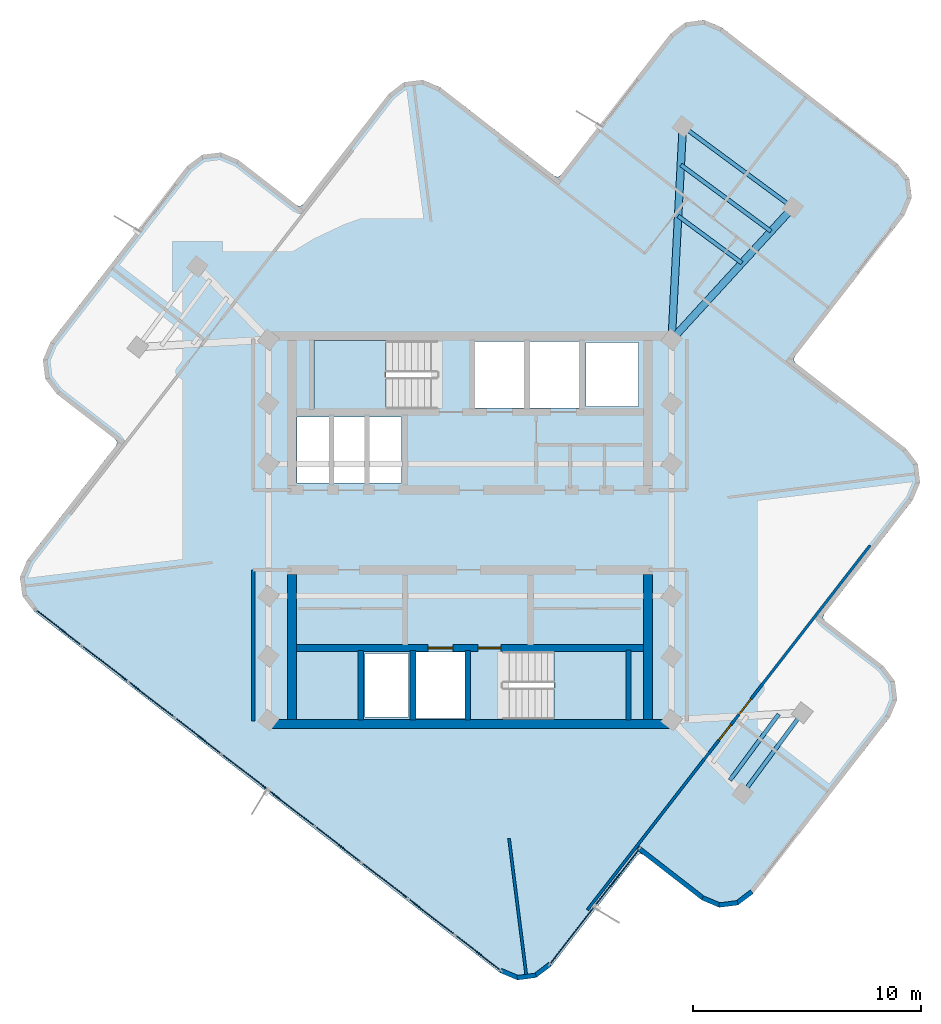
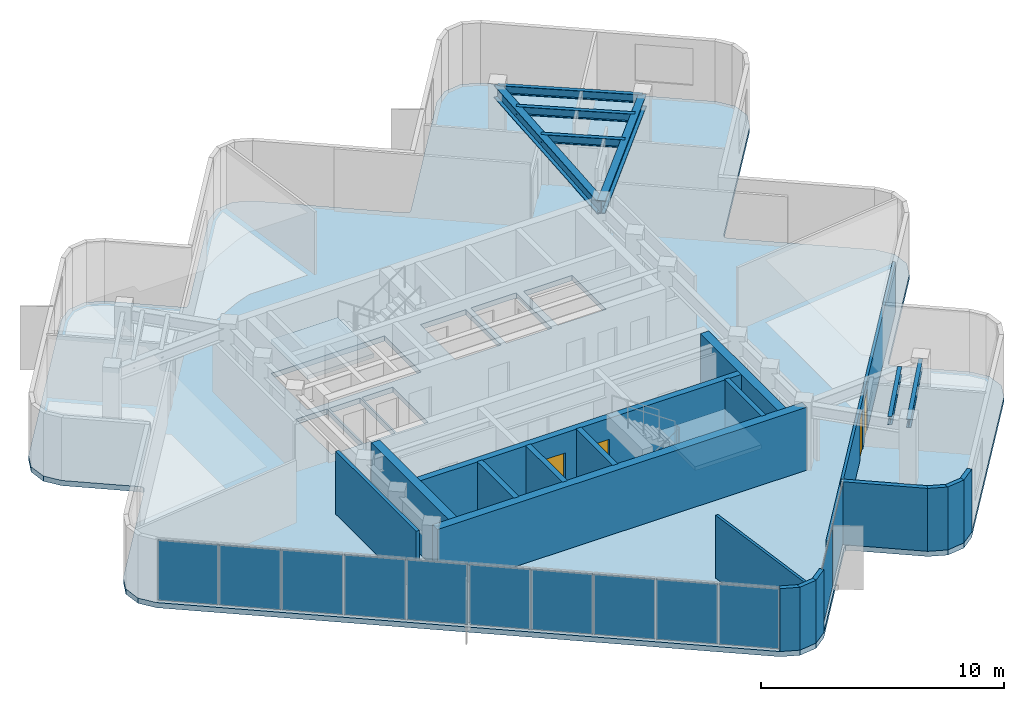
# One storey, part 5 of 10: 18 walls, 12 plates, 7 beams, 4 doors, 3 slabs, 4 openings, 4 elements without a shape of their own.
"""IFC4 building model written with IfcOpenShell, lengths in metres."""

from ifc_helpers import new_model, si_unit, direction, frame, frame_2d, origin, origin_2d, place, context, subcontext, project, spatial, polyline, rectangle, i_section, outline, extrude, material, layer, layer_set, material_profile, profile_set, type_object, element, fill, aggregate, save


model = new_model("IFC4")

# Units and contexts
model_context = context("Model", 3, precision=1e-05, world=origin(), true_north=direction((0.0, 1.0)))
body_context = subcontext(model_context, "Body", "Model", "MODEL_VIEW")
ifc_project = project(units=[si_unit("LENGTHUNIT", "METRE"), si_unit("AREAUNIT", "SQUARE_METRE"), si_unit("VOLUMEUNIT", "CUBIC_METRE"), si_unit("PLANEANGLEUNIT", "RADIAN"), si_unit("MASSUNIT", "GRAM", prefix="KILO")], contexts=[model_context])

# Site, building, storey
site_placement = place(None, origin())
site = spatial("IfcSite", under=ifc_project, at=site_placement, CompositionType="ELEMENT")
building_placement = place(site_placement, origin())
building = spatial("IfcBuilding", under=site, at=building_placement, Name="Solmarez Civic Tower", CompositionType="ELEMENT")
storey_placement = place(building_placement, frame((0.0, 0.0, 257.760009765625)))
storey = spatial("IfcBuildingStorey", under=building, at=storey_placement, Name="L69", CompositionType="ELEMENT", Elevation=257.760009765625)

# Beams
ifc_material_1 = material(Name="Steel S355", Category="steel")
ifc_material_profile_1 = material_profile(ifc_material_1, i_section(OverallWidth=0.178955078125, OverallDepth=0.409912109375, WebThickness=0.0087890625, FlangeThickness=0.014404296875, at=origin_2d()), Name="W16X45")
ifc_profile_set_1 = profile_set([ifc_material_profile_1], Name="Steel S355")
beam_type_1 = type_object("IfcBeamType", Name="BM-JS-W16X45", PredefinedType="JOIST", material=ifc_profile_set_1)
beam_1_placement = place(storey_placement, frame((14.1689453125, 14.152099609375, 2.955078125), z_axis=(-0.804687480311, 0.593698626434, 0.0), x_axis=(-0.593698626434, -0.804687480311, 0.0)))
element("IfcBeam", 1, at=beam_1_placement, inside=storey, type_object=beam_type_1, Name="L69 Secondary Floor Joist BM-L69-EA-T1", PredefinedType="JOIST", context=body_context, shape_type="SweptSolid", body=[
    extrude(i_section(OverallWidth=0.178955078125, OverallDepth=0.409912109375, WebThickness=0.0087890625, FlangeThickness=0.014404296875, at=origin_2d()), origin(), (0.0, 0.0, 1.0), 5.999755859375),
])
beam_2_placement = place(storey_placement, frame((11.93505859375, 11.715087890625, 2.955078125), z_axis=(-0.8046818189, 0.593706299724, 0.0), x_axis=(-0.593706299724, -0.8046818189, 0.0)))
element("IfcBeam", 2, at=beam_2_placement, inside=storey, type_object=beam_type_1, Name="L69 Secondary Floor Joist JS-L69-EA-M11", PredefinedType="JOIST", context=body_context, shape_type="SweptSolid", body=[
    extrude(i_section(OverallWidth=0.178955078125, OverallDepth=0.409912109375, WebThickness=0.0087890625, FlangeThickness=0.014404296875, at=origin_2d()), origin(), (0.0, 0.0, 1.0), 3.479736328125),
])
beam_3_placement = place(storey_placement, frame((13.2119140625, 13.10791015625, 2.955078125), z_axis=(-0.804762606031, 0.593596789019, 0.0), x_axis=(-0.593596789019, -0.804762606031, 0.0)))
element("IfcBeam", 3, at=beam_3_placement, inside=storey, type_object=beam_type_1, Name="L69 Secondary Floor Joist JS-L69-EA-M12", PredefinedType="JOIST", context=body_context, shape_type="SweptSolid", body=[
    extrude(i_section(OverallWidth=0.178955078125, OverallDepth=0.409912109375, WebThickness=0.0087890625, FlangeThickness=0.014404296875, at=origin_2d()), origin(), (0.0, 0.0, 1.0), 4.91943359375),
])
beam_4_placement = place(storey_placement, frame((11.970947265625, -11.56591796875, 2.955078125), z_axis=(0.593730834471, 0.804663716219, 0.0), x_axis=(-0.804663716219, 0.593730834471, 0.0)))
element("IfcBeam", 4, at=beam_4_placement, inside=storey, type_object=beam_type_1, Name="L69 Secondary Floor Joist BM-L69-SA-T1", PredefinedType="JOIST", context=body_context, shape_type="SweptSolid", body=[
    extrude(i_section(OverallWidth=0.178955078125, OverallDepth=0.409912109375, WebThickness=0.0087890625, FlangeThickness=0.014404296875, at=origin_2d()), origin(), (0.0, 0.0, 1.0), 4.3994140625),
])
beam_5_placement = place(storey_placement, frame((11.408935546875, -10.987060546875, 2.955078125), z_axis=(0.593734433343, 0.804661060735, 0.0), x_axis=(-0.804661060735, 0.593734433343, 0.0)))
element("IfcBeam", 5, at=beam_5_placement, inside=storey, type_object=beam_type_1, Name="L69 Secondary Floor Joist JS-L69-SA-M12", PredefinedType="JOIST", context=body_context, shape_type="SweptSolid", body=[
    extrude(i_section(OverallWidth=0.178955078125, OverallDepth=0.409912109375, WebThickness=0.0087890625, FlangeThickness=0.014404296875, at=origin_2d()), origin(), (0.0, 0.0, 1.0), 3.60791015625),
])
ifc_material_profile_2 = material_profile(ifc_material_1, i_section(OverallWidth=0.327880859375, OverallDepth=0.6220703125, WebThickness=0.015380859375, FlangeThickness=0.0244140625, at=origin_2d()), Name="W24X131")
ifc_profile_set_2 = profile_set([ifc_material_profile_2], Name="Steel S355")
beam_type_2 = type_object("IfcBeamType", Name="BM-PR-W24X131", PredefinedType="BEAM", material=ifc_profile_set_2)
beam_6_placement = place(storey_placement, frame((8.85009765625, 8.35009765625, 2.848876953125), z_axis=(0.67574850583, 0.737132251953, 0.0), x_axis=(-0.737132251953, 0.67574850583, 0.0)))
element("IfcBeam", 6, at=beam_6_placement, inside=storey, type_object=beam_type_2, Name="L69 Primary Floor Beam BM-L69-EA-R1A", PredefinedType="BEAM", context=body_context, shape_type="SweptSolid", body=[
    extrude(i_section(OverallWidth=0.327880859375, OverallDepth=0.6220703125, WebThickness=0.015380859375, FlangeThickness=0.0244140625, at=origin_2d()), origin(), (0.0, 0.0, 1.0), 7.87109375),
])
beam_7_placement = place(storey_placement, frame((8.85009765625, 8.35009765625, 2.848876953125), z_axis=(0.052359315135, 0.998628310293, 0.0), x_axis=(-0.998628310293, 0.052359315135, 0.0)))
element("IfcBeam", 7, at=beam_7_placement, inside=storey, type_object=beam_type_2, Name="L69 Primary Floor Beam BM-L69-EA-R1B", PredefinedType="BEAM", context=body_context, shape_type="SweptSolid", body=[
    extrude(i_section(OverallWidth=0.327880859375, OverallDepth=0.6220703125, WebThickness=0.015380859375, FlangeThickness=0.0244140625, at=origin_2d()), origin(), (0.0, 0.0, 1.0), 9.376953125),
])

# Curtain wall, plates
ifc_material_2 = material(Name="Bronze Anodised Aluminium EN AW-6063 T6", Category="aluminium")
ifc_layer_1 = layer(ifc_material_2, 0.1650390625)
ifc_layer_set_1 = layer_set([ifc_layer_1], Name="Bronze Anodised Aluminium EN AW-6063 T6")
curtain_wall_type = type_object("IfcCurtainWallType", Name="CW-SYS-4", PredefinedType="NOTDEFINED", material=ifc_layer_set_1)
curtain_wall_1_placement = place(storey_placement, origin())
curtain_wall_1 = element("IfcCurtainWall", 8, at=curtain_wall_1_placement, inside=storey, type_object=curtain_wall_type, Name="L69 Stick-Built Curtain Wall 1", PredefinedType="NOTDEFINED")
ifc_material_3 = material(Name="Solar Control Low-E Laminated Vision Glass", Category="glass")
ifc_layer_2 = layer(ifc_material_3, 0.0400390625)
ifc_layer_set_2 = layer_set([ifc_layer_2], Name="Solar Control Low-E Laminated Vision Glass")
plate_type = type_object("IfcPlateType", Name="CWP-GLAZ-40", PredefinedType="CURTAIN_PANEL", material=ifc_layer_set_2)
plate_1_placement = place(storey_placement, frame((6.471435546875, -15.234130859375, 0.070068359375), z_axis=(0.0, 0.0, 1.0), x_axis=(-0.612860533718, -0.790191094743, 0.0)))
plate_1 = element("IfcPlate", 9, at=plate_1_placement, type_object=plate_type, Name="CWS4 panel 1.1", PredefinedType="CURTAIN_PANEL", context=body_context, shape_type="SweptSolid", body=[
    extrude(rectangle(XDim=3.1806640625, YDim=0.0400390625, at=origin_2d()), origin(), (0.0, 0.0, 1.0), 3.02001953125),
])
plate_2_placement = place(storey_placement, frame((4.4853515625, -17.794921875, 0.070068359375), z_axis=(0.0, 0.0, 1.0), x_axis=(-0.612860533718, -0.790191094743, 0.0)))
plate_2 = element("IfcPlate", 10, at=plate_2_placement, type_object=plate_type, Name="CWS4 panel 2.1", PredefinedType="CURTAIN_PANEL", context=body_context, shape_type="SweptSolid", body=[
    extrude(rectangle(XDim=3.1806640625, YDim=0.0400390625, at=origin_2d()), origin(), (0.0, 0.0, 1.0), 3.02001953125),
])
aggregate(curtain_wall_1, [plate_1, plate_2])

curtain_wall_2_placement = place(storey_placement, origin())
curtain_wall_2 = element("IfcCurtainWall", 11, at=curtain_wall_2_placement, inside=storey, type_object=curtain_wall_type, Name="L69 Stick-Built Curtain Wall 2", PredefinedType="NOTDEFINED")
plate_3_placement = place(storey_placement, frame((0.349853515625, -18.558349609375, 0.070068359375), z_axis=(0.0, 0.0, 1.0), x_axis=(-0.790188539668, 0.612863828087, 0.0)))
plate_3 = element("IfcPlate", 12, at=plate_3_placement, type_object=plate_type, Name="CWS4 panel 1.1", PredefinedType="CURTAIN_PANEL", context=body_context, shape_type="SweptSolid", body=[
    extrude(rectangle(XDim=2.50244140625, YDim=0.0400390625, at=origin_2d()), origin(), (0.0, 0.0, 1.0), 3.02001953125),
])
plate_4_placement = place(storey_placement, frame((-1.686767578125, -16.978759765625, 0.070068359375), z_axis=(0.0, 0.0, 1.0), x_axis=(-0.790188539668, 0.612863828087, 0.0)))
plate_4 = element("IfcPlate", 13, at=plate_4_placement, type_object=plate_type, Name="CWS4 panel 2.1", PredefinedType="CURTAIN_PANEL", context=body_context, shape_type="SweptSolid", body=[
    extrude(rectangle(XDim=2.532470703125, YDim=0.0400390625, at=origin_2d()), origin(), (0.0, 0.0, 1.0), 3.02001953125),
])
plate_5_placement = place(storey_placement, frame((-3.7353515625, -15.389892578125, 0.070068359375), z_axis=(0.0, 0.0, 1.0), x_axis=(-0.790188539668, 0.612863828087, 0.0)))
plate_5 = element("IfcPlate", 14, at=plate_5_placement, type_object=plate_type, Name="CWS4 panel 3.1", PredefinedType="CURTAIN_PANEL", context=body_context, shape_type="SweptSolid", body=[
    extrude(rectangle(XDim=2.532470703125, YDim=0.0400390625, at=origin_2d()), origin(), (0.0, 0.0, 1.0), 3.02001953125),
])
plate_6_placement = place(storey_placement, frame((-5.78369140625, -13.80126953125, 0.070068359375), z_axis=(0.0, 0.0, 1.0), x_axis=(-0.790188539668, 0.612863828087, 0.0)))
plate_6 = element("IfcPlate", 15, at=plate_6_placement, type_object=plate_type, Name="CWS4 panel 4.1", PredefinedType="CURTAIN_PANEL", context=body_context, shape_type="SweptSolid", body=[
    extrude(rectangle(XDim=2.532470703125, YDim=0.0400390625, at=origin_2d()), origin(), (0.0, 0.0, 1.0), 3.02001953125),
])
plate_7_placement = place(storey_placement, frame((-7.832275390625, -12.21240234375, 0.070068359375), z_axis=(0.0, 0.0, 1.0), x_axis=(-0.790188539668, 0.612863828087, 0.0)))
plate_7 = element("IfcPlate", 16, at=plate_7_placement, type_object=plate_type, Name="CWS4 panel 5.1", PredefinedType="CURTAIN_PANEL", context=body_context, shape_type="SweptSolid", body=[
    extrude(rectangle(XDim=2.532470703125, YDim=0.0400390625, at=origin_2d()), origin(), (0.0, 0.0, 1.0), 3.02001953125),
])
plate_8_placement = place(storey_placement, frame((-9.880859375, -10.62353515625, 0.070068359375), z_axis=(0.0, 0.0, 1.0), x_axis=(-0.790188539668, 0.612863828087, 0.0)))
plate_8 = element("IfcPlate", 17, at=plate_8_placement, type_object=plate_type, Name="CWS4 panel 6.1", PredefinedType="CURTAIN_PANEL", context=body_context, shape_type="SweptSolid", body=[
    extrude(rectangle(XDim=2.532470703125, YDim=0.0400390625, at=origin_2d()), origin(), (0.0, 0.0, 1.0), 3.02001953125),
])
plate_9_placement = place(storey_placement, frame((-11.92919921875, -9.034912109375, 0.070068359375), z_axis=(0.0, 0.0, 1.0), x_axis=(-0.790188539668, 0.612863828087, 0.0)))
plate_9 = element("IfcPlate", 18, at=plate_9_placement, type_object=plate_type, Name="CWS4 panel 7.1", PredefinedType="CURTAIN_PANEL", context=body_context, shape_type="SweptSolid", body=[
    extrude(rectangle(XDim=2.532470703125, YDim=0.0400390625, at=origin_2d()), origin(), (0.0, 0.0, 1.0), 3.02001953125),
])
plate_10_placement = place(storey_placement, frame((-13.977783203125, -7.446044921875, 0.070068359375), z_axis=(0.0, 0.0, 1.0), x_axis=(-0.790188539668, 0.612863828087, 0.0)))
plate_10 = element("IfcPlate", 19, at=plate_10_placement, type_object=plate_type, Name="CWS4 panel 8.1", PredefinedType="CURTAIN_PANEL", context=body_context, shape_type="SweptSolid", body=[
    extrude(rectangle(XDim=2.532470703125, YDim=0.0400390625, at=origin_2d()), origin(), (0.0, 0.0, 1.0), 3.02001953125),
])
plate_11_placement = place(storey_placement, frame((-16.0263671875, -5.857177734375, 0.070068359375), z_axis=(0.0, 0.0, 1.0), x_axis=(-0.790188539668, 0.612863828087, 0.0)))
plate_11 = element("IfcPlate", 20, at=plate_11_placement, type_object=plate_type, Name="CWS4 panel 9.1", PredefinedType="CURTAIN_PANEL", context=body_context, shape_type="SweptSolid", body=[
    extrude(rectangle(XDim=2.532470703125, YDim=0.0400390625, at=origin_2d()), origin(), (0.0, 0.0, 1.0), 3.02001953125),
])
plate_12_placement = place(storey_placement, frame((-18.06298828125, -4.277587890625, 0.070068359375), z_axis=(0.0, 0.0, 1.0), x_axis=(-0.790188539668, 0.612863828087, 0.0)))
plate_12 = element("IfcPlate", 21, at=plate_12_placement, type_object=plate_type, Name="CWS4 panel 10.1", PredefinedType="CURTAIN_PANEL", context=body_context, shape_type="SweptSolid", body=[
    extrude(rectangle(XDim=2.50244140625, YDim=0.0400390625, at=origin_2d()), origin(), (0.0, 0.0, 1.0), 3.02001953125),
])
aggregate(curtain_wall_2, [plate_3, plate_4, plate_5, plate_6, plate_7, plate_8, plate_9, plate_10, plate_11, plate_12])

# Stair, slab
ifc_material_4 = material(Name="Concrete C50/60", Category="concrete")
stair_type = type_object("IfcStairType", Name="STAIR-DOGLEG-140W-18R-1900", PredefinedType="HALF_TURN_STAIR", material=ifc_material_4)
stair_1_placement = place(storey_placement, origin())
stair_1 = element("IfcStair", 22, at=stair_1_placement, inside=storey, type_object=stair_type, Name="L69 North Core Protected Exit Stair ST-1", PredefinedType="HALF_TURN_STAIR")
ifc_layer_3 = layer(ifc_material_4, 0.199951171875)
ifc_layer_set_3 = layer_set([ifc_layer_3], Name="Concrete C50/60")
slab_type_1 = type_object("IfcSlabType", Name="SLAB-LANDING-200", PredefinedType="LANDING", material=ifc_layer_set_3)
slab_1_placement = place(storey_placement, frame((0.0, 0.0, 1.510009765625)))
slab_1 = element("IfcSlab", 23, at=slab_1_placement, type_object=slab_type_1, Name="ST-1 landing 1", PredefinedType="LANDING", context=body_context, shape_type="SweptSolid", body=[
    extrude(outline(polyline([(-3.68994140625, 8.320068359375), (-6.85009765625, 8.320068359375), (-6.85009765625, 5.320068359375), (-3.68994140625, 5.320068359375), (-3.68994140625, 8.320068359375)])), origin(), (0.0, 0.0, 1.0), 0.199951171875),
])
aggregate(stair_1, [slab_1])

stair_2_placement = place(storey_placement, origin())
stair_2 = element("IfcStair", 24, at=stair_2_placement, inside=storey, type_object=stair_type, Name="L69 South Core Protected Exit Stair ST-2", PredefinedType="HALF_TURN_STAIR")
slab_2_placement = place(storey_placement, frame((0.0, 0.0, 1.510009765625)))
slab_2 = element("IfcSlab", 25, at=slab_2_placement, type_object=slab_type_1, Name="ST-2 landing 1", PredefinedType="LANDING", context=body_context, shape_type="SweptSolid", body=[
    extrude(outline(polyline([(3.68994140625, -8.320068359375), (6.85009765625, -8.320068359375), (6.85009765625, -5.320068359375), (3.68994140625, -5.320068359375), (3.68994140625, -8.320068359375)])), origin(), (0.0, 0.0, 1.0), 0.199951171875),
])
aggregate(stair_2, [slab_2])

# Slab
ifc_layer_4 = layer(ifc_material_4, 0.260009765625)
ifc_layer_set_4 = layer_set([ifc_layer_4], Name="Concrete C50/60")
slab_type_2 = type_object("IfcSlabType", Name="SLAB-TOWER-260", PredefinedType="FLOOR", material=ifc_layer_set_4)
slab_3_placement = place(storey_placement, frame((0.0, 0.0, -0.260009765625)))
element("IfcSlab", 26, at=slab_3_placement, inside=storey, type_object=slab_type_2, Name="L69 Structural Slab", PredefinedType="FLOOR", context=body_context, shape_type="SweptSolid", body=[
    extrude(outline(polyline([(7.617919921875, -14.261962890625), (10.177978515625, -16.2470703125), (10.94091796875, -16.568115234375), (11.762939453125, -16.464111328125), (12.423095703125, -15.964111328125), (18.428955078125, -8.219970703125), (18.75, -7.45703125), (18.64599609375, -6.635009765625), (18.14501953125, -5.97509765625), (15.5859375, -3.989990234375), (15.48193359375, -3.85302734375), (15.548095703125, -3.694091796875), (19.43408203125, 1.31494140625), (19.7548828125, 2.077880859375), (19.65087890625, 2.89990234375), (19.14990234375, 3.56005859375), (14.299072265625, 7.322021484375), (14.195068359375, 7.458984375), (14.261962890625, 7.617919921875), (19.06689453125, 13.81201171875), (19.387939453125, 14.575927734375), (19.283935546875, 15.39794921875), (18.782958984375, 16.056884765625), (11.0400390625, 22.06396484375), (10.27587890625, 22.385009765625), (9.4541015625, 22.281005859375), (8.794921875, 21.780029296875), (3.989990234375, 15.5859375), (3.85302734375, 15.48193359375), (3.694091796875, 15.548095703125), (-1.31494140625, 19.43408203125), (-2.077880859375, 19.7548828125), (-2.89990234375, 19.65087890625), (-3.56005859375, 19.14990234375), (-7.322021484375, 14.299072265625), (-7.458984375, 14.195068359375), (-7.617919921875, 14.261962890625), (-10.177978515625, 16.2470703125), (-10.94091796875, 16.568115234375), (-11.762939453125, 16.464111328125), (-12.423095703125, 15.964111328125), (-18.428955078125, 8.219970703125), (-18.75, 7.45703125), (-18.64599609375, 6.635009765625), (-18.14501953125, 5.97509765625), (-15.5859375, 3.989990234375), (-15.48193359375, 3.85302734375), (-15.548095703125, 3.694091796875), (-19.43408203125, -1.31494140625), (-19.7548828125, -2.077880859375), (-19.65087890625, -2.89990234375), (-19.14990234375, -3.56005859375), (1.31494140625, -19.43408203125), (2.077880859375, -19.7548828125), (2.89990234375, -19.65087890625), (3.56005859375, -19.14990234375), (7.322021484375, -14.299072265625), (7.458984375, -14.195068359375), (7.617919921875, -14.261962890625)]), holes=[polyline([(-1.449951171875, 8.320068359375), (-6.85009765625, 8.320068359375), (-6.85009765625, 5.320068359375), (-1.449951171875, 5.320068359375), (-1.449951171875, 8.320068359375)]), polyline([(1.449951171875, -8.320068359375), (6.85009765625, -8.320068359375), (6.85009765625, -5.320068359375), (1.449951171875, -5.320068359375), (1.449951171875, -8.320068359375)]), polyline([(0.219970703125, 5.360107421875), (2.3798828125, 5.360107421875), (2.3798828125, 8.280029296875), (0.219970703125, 8.280029296875), (0.219970703125, 5.360107421875)]), polyline([(2.6201171875, 5.360107421875), (4.780029296875, 5.360107421875), (4.780029296875, 8.280029296875), (2.6201171875, 8.280029296875), (2.6201171875, 5.360107421875)]), polyline([(-2.3798828125, -8.280029296875), (-0.219970703125, -8.280029296875), (-0.219970703125, -5.360107421875), (-2.3798828125, -5.360107421875), (-2.3798828125, -8.280029296875)]), polyline([(-7.60009765625, 2.06005859375), (-6.1201171875, 2.06005859375), (-6.1201171875, 4.9599609375), (-7.60009765625, 4.9599609375), (-7.60009765625, 2.06005859375)]), polyline([(-6.0400390625, 2.06005859375), (-4.56005859375, 2.06005859375), (-4.56005859375, 4.9599609375), (-6.0400390625, 4.9599609375), (-6.0400390625, 2.06005859375)]), polyline([(-4.47998046875, 2.06005859375), (-3.0, 2.06005859375), (-3.0, 4.9599609375), (-4.47998046875, 4.9599609375), (-4.47998046875, 2.06005859375)]), polyline([(5.10009765625, 5.419921875), (7.39990234375, 5.419921875), (7.39990234375, 8.219970703125), (5.10009765625, 8.219970703125), (5.10009765625, 5.419921875)]), polyline([(-4.60009765625, -8.219970703125), (-2.699951171875, -8.219970703125), (-2.699951171875, -5.419921875), (-4.60009765625, -5.419921875), (-4.60009765625, -8.219970703125)])]), origin(), (0.0, 0.0, 1.0), 0.260009765625),
])

# Walls
ifc_layer_5 = layer(ifc_material_4, 0.39990234375)
ifc_layer_set_5 = layer_set([ifc_layer_5], Name="Concrete C50/60")
wall_type_1 = type_object("IfcWallType", Name="WALL-CORE-400", PredefinedType="SHEAR", material=ifc_layer_set_5)
wall_1_placement = place(storey_placement, frame((8.780029296875, -8.510009765625, 0.0), z_axis=(0.0, 0.0, 1.0), x_axis=(-1.0, 0.0, 0.0)))
element("IfcWall", 27, at=wall_1_placement, inside=storey, type_object=wall_type_1, Name="L69 Split-Core Structural Wall SCW-S-L69", PredefinedType="SHEAR", context=body_context, shape_type="SweptSolid", body=[
    extrude(rectangle(XDim=17.56005859375, YDim=0.39990234375, at=frame_2d((8.780029296875, 0.0))), origin(), (0.0, 0.0, 1.0), 3.159912109375),
])
for number, where, z_axis, x_axis, name in (
    (28, (-7.820068359375, -8.31005859375, 0.0), (0.0, 0.0, 1.0), (0.0, 1.0, 0.0), "L69 Split-Core Structural Wall SCW-W-L69"),
    (29, (7.820068359375, -1.949951171875, 0.0), (0.0, 0.0, 1.0), (0.0, -1.0, 0.0), "L69 Split-Core Structural Wall SCW-E-L69"),
):
    element("IfcWall", number, at=place(storey_placement, frame(where, z_axis=z_axis, x_axis=x_axis)), inside=storey, type_object=wall_type_1, Name=name, PredefinedType="SHEAR", context=body_context, shape_type="SweptSolid", body=[
        extrude(rectangle(XDim=6.360107421875, YDim=0.39990234375, at=frame_2d((3.18017578125, 0.0))), origin(), (0.0, 0.0, 1.0), 3.159912109375),
    ])
ifc_material_5 = material(Name="Precast concrete C40/50", Category="concrete")
ifc_layer_6 = layer(ifc_material_5, 0.199951171875)
ifc_layer_set_6 = layer_set([ifc_layer_6], Name="Precast concrete C40/50")
wall_type_2 = type_object("IfcWallType", Name="WALL-EXT-200", PredefinedType="SOLIDWALL", material=ifc_layer_set_6)
wall_2_placement = place(storey_placement, frame((3.509033203125, -19.06396484375, 0.0), z_axis=(0.0, 0.0, 1.0), x_axis=(-0.797053904317, -0.603908166539, 0.0)))
element("IfcWall", 30, at=wall_2_placement, inside=storey, type_object=wall_type_2, Name="L69 Exterior Precast Wall 3", PredefinedType="SOLIDWALL", context=body_context, shape_type="SweptSolid", body=[
    extrude(rectangle(XDim=0.838134765625, YDim=0.199951171875, at=frame_2d((0.4189453125, 0.0))), origin(), (0.0, 0.0, 1.0), 3.159912109375),
])
wall_3_placement = place(storey_placement, frame((2.885986328125, -19.552001953125, 0.0), z_axis=(0.0, 0.0, 1.0), x_axis=(-0.992182038023, -0.124799052175, 0.0)))
element("IfcWall", 31, at=wall_3_placement, inside=storey, type_object=wall_type_2, Name="L69 Exterior Precast Wall 4", PredefinedType="SOLIDWALL", context=body_context, shape_type="SweptSolid", body=[
    extrude(rectangle(XDim=0.825439453125, YDim=0.199951171875, at=frame_2d((0.41259765625, 0.0))), origin(), (0.0, 0.0, 1.0), 3.159912109375),
])
wall_4_placement = place(storey_placement, frame((2.114990234375, -19.662109375, 0.0), z_axis=(0.0, 0.0, 1.0), x_axis=(-0.921569528133, 0.388213349612, 0.0)))
element("IfcWall", 32, at=wall_4_placement, inside=storey, type_object=wall_type_2, Name="L69 Exterior Precast Wall 5", PredefinedType="SOLIDWALL", context=body_context, shape_type="SweptSolid", body=[
    extrude(rectangle(XDim=0.837646484375, YDim=0.199951171875, at=frame_2d((0.4189453125, 0.0))), origin(), (0.0, 0.0, 1.0), 3.159912109375),
])
wall_5_placement = place(storey_placement, frame((12.3720703125, -15.876953125, 0.0), z_axis=(0.0, 0.0, 1.0), x_axis=(-0.796493049564, -0.60464768419, 0.0)))
element("IfcWall", 33, at=wall_5_placement, inside=storey, type_object=wall_type_2, Name="L69 Exterior Precast Wall 54", PredefinedType="SOLIDWALL", context=body_context, shape_type="SweptSolid", body=[
    extrude(rectangle(XDim=0.838623046875, YDim=0.199951171875, at=frame_2d((0.41943359375, 0.0))), origin(), (0.0, 0.0, 1.0), 3.159912109375),
])
wall_6_placement = place(storey_placement, frame((11.7490234375, -16.365966796875, 0.0), z_axis=(0.0, 0.0, 1.0), x_axis=(-0.992182038023, -0.124799052175, 0.0)))
element("IfcWall", 34, at=wall_6_placement, inside=storey, type_object=wall_type_2, Name="L69 Exterior Precast Wall 55", PredefinedType="SOLIDWALL", context=body_context, shape_type="SweptSolid", body=[
    extrude(rectangle(XDim=0.825439453125, YDim=0.199951171875, at=frame_2d((0.41259765625, 0.0))), origin(), (0.0, 0.0, 1.0), 3.159912109375),
])
wall_7_placement = place(storey_placement, frame((10.97802734375, -16.47607421875, 0.0), z_axis=(0.0, 0.0, 1.0), x_axis=(-0.921328331513, 0.388785423532, 0.0)))
element("IfcWall", 35, at=wall_7_placement, inside=storey, type_object=wall_type_2, Name="L69 Exterior Precast Wall 56", PredefinedType="SOLIDWALL", context=body_context, shape_type="SweptSolid", body=[
    extrude(rectangle(XDim=0.8388671875, YDim=0.199951171875, at=frame_2d((0.41943359375, 0.0))), origin(), (0.0, 0.0, 1.0), 3.159912109375),
])
wall_8_placement = place(storey_placement, frame((10.248046875, -16.175048828125, 0.0), z_axis=(0.0, 0.0, 1.0), x_axis=(-0.790239683444, 0.612797880797, 0.0)))
element("IfcWall", 36, at=wall_8_placement, inside=storey, type_object=wall_type_2, Name="L69 Exterior Precast Wall 57", PredefinedType="SOLIDWALL", context=body_context, shape_type="SweptSolid", body=[
    extrude(rectangle(XDim=3.640625, YDim=0.199951171875, at=frame_2d((1.8203125, 0.0))), origin(), (0.0, 0.0, 1.0), 3.159912109375),
])
ifc_material_6 = material(Name="Gypsum Board Acoustic Steel-Stud Partition", Category="steel")
ifc_layer_7 = layer(ifc_material_6, 0.14990234375)
ifc_layer_set_7 = layer_set([ifc_layer_7], Name="Gypsum Board Acoustic Steel-Stud Partition")
wall_type_3 = type_object("IfcWallType", Name="WALL-INT-FIRE-150", PredefinedType="PARTITIONING", material=ifc_layer_set_7)
wall_9_placement = place(storey_placement, frame((-9.52001953125, -8.3798828125, 0.0), z_axis=(0.0, 0.0, 1.0), x_axis=(0.0, 1.0, 0.0)))
element("IfcWall", 37, at=wall_9_placement, inside=storey, type_object=wall_type_3, Name="L69 Interior Partition CHW-L69-WS1", PredefinedType="PARTITIONING", context=body_context, shape_type="SweptSolid", body=[
    extrude(rectangle(XDim=6.6298828125, YDim=0.14990234375, at=frame_2d((3.31494140625, 0.0))), origin(), (0.0, 0.0, 1.0), 3.159912109375),
])
ifc_layer_8 = layer(ifc_material_6, 0.1201171875)
ifc_layer_set_8 = layer_set([ifc_layer_8], Name="Gypsum Board Acoustic Steel-Stud Partition")
wall_type_4 = type_object("IfcWallType", Name="WALL-INT-PART-120", PredefinedType="PARTITIONING", material=ifc_layer_set_8)
wall_10_placement = place(storey_placement, frame((1.7109375, -13.5400390625, 0.0), z_axis=(0.0, 0.0, 1.0), x_axis=(0.125366398214, -0.992110511082, 0.0)))
element("IfcWall", 38, at=wall_10_placement, inside=storey, type_object=wall_type_4, Name="L69 Interior Partition PT-L69-QDIV-3", PredefinedType="PARTITIONING", context=body_context, shape_type="SweptSolid", body=[
    extrude(rectangle(XDim=6.046630859375, YDim=0.1201171875, at=frame_2d((3.0234375, 0.0))), origin(), (0.0, 0.0, 1.0), 3.159912109375),
])

# Wall, openings, doors
wall_11_placement = place(storey_placement, frame((17.554931640625, -0.68310546875, 0.0), z_axis=(0.0, 0.0, 1.0), x_axis=(-0.61291959311, -0.790145285617, 0.0)))
wall_11 = element("IfcWall", 39, at=wall_11_placement, inside=storey, type_object=wall_type_4, Name="L69 Interior Partition PT-L69-S-ENT", PredefinedType="PARTITIONING", context=body_context, shape_type="SweptSolid", body=[
    extrude(rectangle(XDim=20.2392578125, YDim=0.1201171875, at=frame_2d((10.11962890625, 0.0))), origin(), (0.0, 0.0, 1.0), 2.530029296875),
])
opening_1_placement = place(wall_11_placement, frame((9.9599609375, 0.0, 0.0)))
opening_1 = element("IfcOpeningElement", 40, at=opening_1_placement, cuts=wall_11, Name="Opening D-14", PredefinedType="OPENING", context=body_context, shape_type="SweptSolid", body=[
    extrude(rectangle(XDim=0.860107421875, YDim=2.0400390625, at=frame_2d((0.43017578125, 1.02001953125))), frame((0.0, 0.070068359375, 0.0), z_axis=(0.0, -1.0, 0.0), x_axis=(1.0, 0.0, 0.0)), (0.0, 0.0, 1.0), 0.14013671875),
])
opening_2_placement = place(wall_11_placement, frame((8.52001953125, 0.0, 0.0)))
opening_2 = element("IfcOpeningElement", 41, at=opening_2_placement, cuts=wall_11, Name="Opening D-14", PredefinedType="OPENING", context=body_context, shape_type="SweptSolid", body=[
    extrude(rectangle(XDim=0.860107421875, YDim=2.0400390625, at=frame_2d((0.43017578125, 1.02001953125))), frame((0.0, 0.070068359375, 0.0), z_axis=(0.0, -1.0, 0.0), x_axis=(1.0, 0.0, 0.0)), (0.0, 0.0, 1.0), 0.14013671875),
])
ifc_material_7 = material(Name="Timber Storage and Pantry Door", Category="wood")
door_type_1 = type_object("IfcDoorType", Name="DOOR-INT-850", OperationType="NOTDEFINED", PredefinedType="DOOR", material=ifc_material_7)
door_1_placement = place(opening_1_placement, origin())
door_1 = element("IfcDoor", 42, at=door_1_placement, inside=storey, type_object=door_type_1, Name="L69 Wellness Fitness Room Second South Door", OperationType="SINGLE_SWING_RIGHT", OverallHeight=2.0400390625, OverallWidth=0.860107421875, PredefinedType="DOOR", context=body_context, shape_type="SweptSolid", body=[
    extrude(rectangle(XDim=0.860107421875, YDim=2.0400390625, at=frame_2d((0.43017578125, 1.02001953125))), frame((0.0, 0.02490234375, 0.0), z_axis=(0.0, -1.0, 0.0), x_axis=(1.0, 0.0, 0.0)), (0.0, 0.0, 1.0), 0.050048828125),
])
fill(opening_1, door_1)
door_2_placement = place(opening_2_placement, origin())
door_2 = element("IfcDoor", 43, at=door_2_placement, inside=storey, type_object=door_type_1, Name="L69 Delegates Study Lounge First South Door", OperationType="SINGLE_SWING_LEFT", OverallHeight=2.0400390625, OverallWidth=0.860107421875, PredefinedType="DOOR", context=body_context, shape_type="SweptSolid", body=[
    extrude(rectangle(XDim=0.860107421875, YDim=2.0400390625, at=frame_2d((0.43017578125, 1.02001953125))), frame((0.0, 0.02490234375, 0.0), z_axis=(0.0, -1.0, 0.0), x_axis=(1.0, 0.0, 0.0)), (0.0, 0.0, 1.0), 0.050048828125),
])
fill(opening_2, door_2)

ifc_layer_9 = layer(ifc_material_4, 0.300048828125)
ifc_layer_set_9 = layer_set([ifc_layer_9], Name="Concrete C50/60")
wall_type_5 = type_object("IfcWallType", Name="WALL-STR-300", PredefinedType="SOLIDWALL", material=ifc_layer_set_9)
wall_12_placement = place(storey_placement, frame((-7.6201171875, -5.179931640625, 0.0), z_axis=(0.0, 0.0, 1.0), x_axis=(1.0, 0.0, 0.0)))
wall_12 = element("IfcWall", 44, at=wall_12_placement, inside=storey, type_object=wall_type_5, Name="L69 Split-Core Structural Wall SCW-M-L69", PredefinedType="SOLIDWALL", context=body_context, shape_type="SweptSolid", body=[
    extrude(rectangle(XDim=15.240234375, YDim=0.300048828125, at=frame_2d((7.6201171875, 0.0))), origin(), (0.0, 0.0, 1.0), 3.159912109375),
])
opening_3_placement = place(wall_12_placement, frame((5.77001953125, 0.0, 0.0)))
opening_3 = element("IfcOpeningElement", 45, at=opening_3_placement, cuts=wall_12, Name="Opening LD-02", PredefinedType="OPENING", context=body_context, shape_type="SweptSolid", body=[
    extrude(rectangle(XDim=1.10009765625, YDim=2.14990234375, at=frame_2d((0.550048828125, 1.074951171875))), frame((0.0, 0.159912109375, 0.0), z_axis=(0.0, -1.0, 0.0), x_axis=(1.0, 0.0, 0.0)), (0.0, 0.0, 1.0), 0.320068359375),
])
opening_4_placement = place(wall_12_placement, frame((7.969970703125, 0.0, 0.0)))
opening_4 = element("IfcOpeningElement", 46, at=opening_4_placement, cuts=wall_12, Name="Opening D-05", PredefinedType="OPENING", context=body_context, shape_type="SweptSolid", body=[
    extrude(rectangle(XDim=1.0, YDim=2.10009765625, at=frame_2d((0.5, 1.050048828125))), frame((0.0, 0.159912109375, 0.0), z_axis=(0.0, -1.0, 0.0), x_axis=(1.0, 0.0, 0.0)), (0.0, 0.0, 1.0), 0.320068359375),
])
ifc_material_8 = material(Name="Fire-Rated Stairwell Exit Door", Category="wood")
door_type_2 = type_object("IfcDoorType", Name="DOOR-FD90-1000", OperationType="NOTDEFINED", PredefinedType="DOOR", material=ifc_material_8)
door_3_placement = place(opening_4_placement, origin())
door_3 = element("IfcDoor", 47, at=door_3_placement, inside=storey, type_object=door_type_2, Name="L69 South Exit Stair Door ST-2", OperationType="SINGLE_SWING_LEFT", OverallHeight=2.10009765625, OverallWidth=1.0, PredefinedType="DOOR", context=body_context, shape_type="SweptSolid", body=[
    extrude(rectangle(XDim=1.0, YDim=2.10009765625, at=frame_2d((0.5, 1.050048828125))), frame((0.0, 0.02490234375, 0.0), z_axis=(0.0, -1.0, 0.0), x_axis=(1.0, 0.0, 0.0)), (0.0, 0.0, 1.0), 0.050048828125),
])
fill(opening_4, door_3)
ifc_material_9 = material(Name="Stainless Firefighting Lift Landing Sliding Door", Category="aluminium")
door_type_3 = type_object("IfcDoorType", Name="DOOR-LD-FF-1100", OperationType="DOUBLE_DOOR_SLIDING", PredefinedType="DOOR", material=ifc_material_9)
door_4_placement = place(opening_3_placement, origin())
door_4 = element("IfcDoor", 48, at=door_4_placement, inside=storey, type_object=door_type_3, Name="L69 Firefighting Lift Landing Door FFL-2", OperationType="DOUBLE_DOOR_SLIDING", OverallHeight=2.14990234375, OverallWidth=1.10009765625, PredefinedType="DOOR", context=body_context, shape_type="SweptSolid", body=[
    extrude(rectangle(XDim=1.10009765625, YDim=2.14990234375, at=frame_2d((0.550048828125, 1.074951171875))), frame((0.0, 0.02490234375, 0.0), z_axis=(0.0, -1.0, 0.0), x_axis=(1.0, 0.0, 0.0)), (0.0, 0.0, 1.0), 0.050048828125),
])
fill(opening_3, door_4)

# Walls
wall_13_placement = place(storey_placement, frame((6.949951171875, -8.340087890625, 0.0), z_axis=(0.0, 0.0, 1.0), x_axis=(0.0, 1.0, 0.0)))
element("IfcWall", 49, at=wall_13_placement, inside=storey, type_object=wall_type_5, Name="L69 Split-Core Structural Wall SHW-SE-L69", PredefinedType="SOLIDWALL", context=body_context, shape_type="SweptSolid", body=[
    extrude(rectangle(XDim=3.06005859375, YDim=0.219970703125, at=frame_2d((1.530029296875, 0.0))), origin(), (0.0, 0.0, 1.0), 3.159912109375),
])
for number, where, z_axis, x_axis, name in (
    (50, (-0.10009765625, -8.340087890625, 0.0), (0.0, 0.0, 1.0), (0.0, 1.0, 0.0), "L69 Split-Core Structural Wall SHW-S1-L69"),
    (51, (-2.5, -8.340087890625, 0.0), (0.0, 0.0, 1.0), (0.0, 1.0, 0.0), "L69 Split-Core Structural Wall SHW-S2-L69"),
    (52, (-4.800048828125, -8.340087890625, 0.0), (0.0, 0.0, 1.0), (0.0, 1.0, 0.0), "L69 Split-Core Structural Wall SHW-S3-L69"),
):
    element("IfcWall", number, at=place(storey_placement, frame(where, z_axis=z_axis, x_axis=x_axis)), inside=storey, type_object=wall_type_5, Name=name, PredefinedType="SOLIDWALL", context=body_context, shape_type="SweptSolid", body=[
        extrude(rectangle(XDim=3.0400390625, YDim=0.25, at=frame_2d((1.52001953125, 0.0))), origin(), (0.0, 0.0, 1.0), 3.159912109375),
    ])

save(model, "model.ifc")
